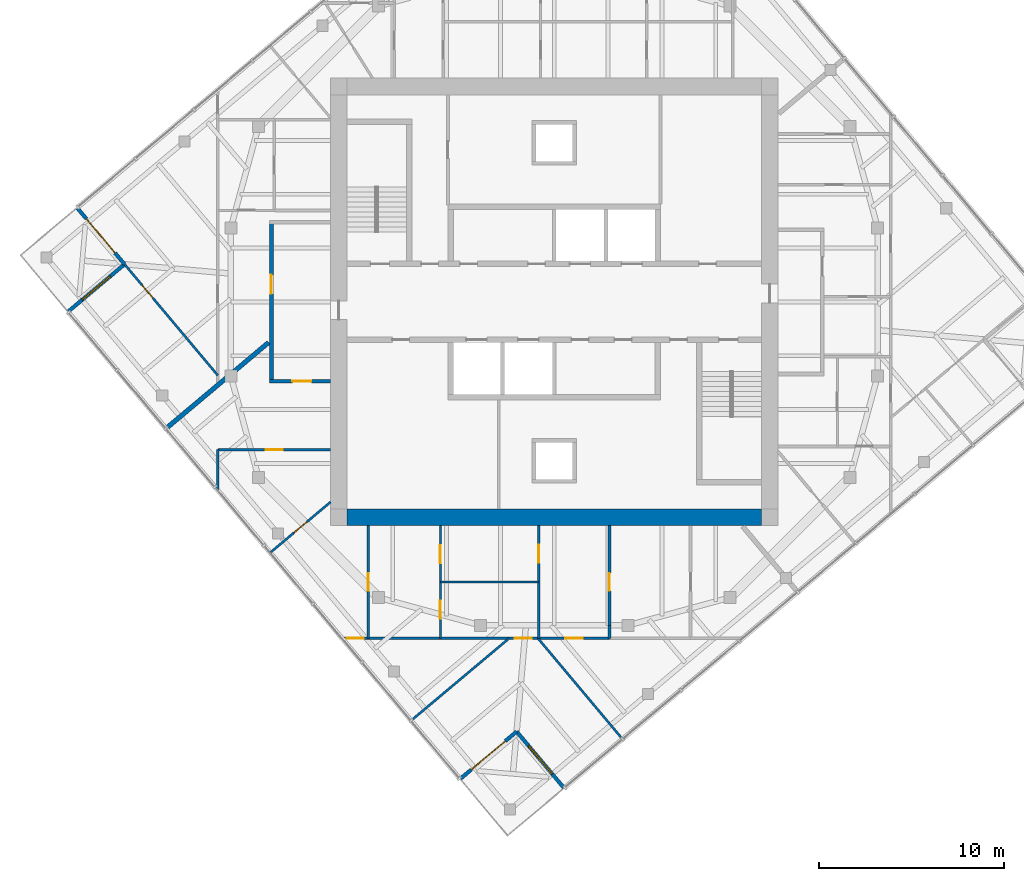
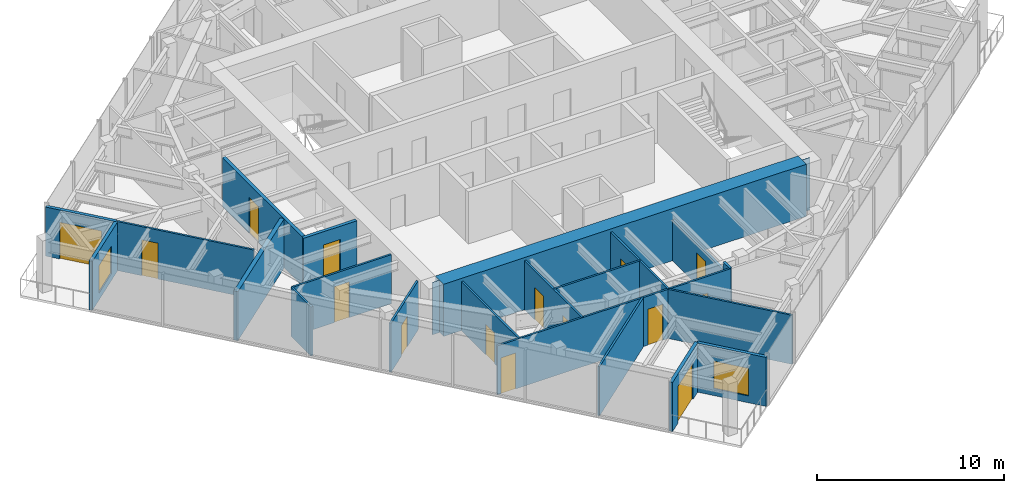
# One storey, part 7 of 12: 21 walls, 15 doors, 2 windows, 17 openings.
"""IFC4 building model written with IfcOpenShell, lengths in metres."""

import ifcopenshell
import ifcopenshell.guid

model = None  # the IFC model being written
_history = None  # IfcOwnerHistory: only IFC2X3 demands one
_inside = {}  # id of a spatial element -> (the spatial element, [elements in it])
_under = {}  # id of a project, library or spatial element -> (it, [spatial elements below it])
_declared = {}  # id of a project -> (the project, [libraries it declares])
_typed = {}  # id of a type object -> (the type object, [elements of that type])
_made_of = {}  # id of a material, layer set ... -> (it, [elements and type objects made of it])


def new_model(schema):
    """Start an empty IFC model of exactly this schema.

    Asked for "IFC4X3", IfcOpenShell would pick the latest addendum, in which some entities
    have other attributes; the version numbers below select the first issue.
    IFC2X3 requires an IfcOwnerHistory on every rooted entity: one is made here for all.
    """
    global model, _history
    if schema == "IFC4X3":
        model = ifcopenshell.file(schema_version=(4, 3, 0, 0))
    else:
        model = ifcopenshell.file(schema=schema)
    _inside.clear()
    _under.clear()
    _declared.clear()
    _typed.clear()
    _made_of.clear()
    _history = None
    if model.schema == "IFC2X3":
        org = make("IfcOrganization", Name="unknown")
        user = make(
            "IfcPersonAndOrganization",
            ThePerson=make("IfcPerson", FamilyName="unknown"),
            TheOrganization=org,
        )
        app = make(
            "IfcApplication",
            ApplicationDeveloper=org,
            Version="unknown",
            ApplicationFullName="unknown",
            ApplicationIdentifier="unknown",
        )
        _history = make(
            "IfcOwnerHistory",
            OwningUser=user,
            OwningApplication=app,
            ChangeAction="ADDED",
            CreationDate=0,
        )
    return model


def make(cls, **values):
    """One entity of the class cls with the attributes given. An attribute that is None is left unset."""
    return model.create_entity(
        cls, **{name: value for name, value in values.items() if value is not None}
    )


def rooted(cls, **values):
    """An entity with a GlobalId (a new one), such as an element, a storey or a relation."""
    return make(cls, GlobalId=ifcopenshell.guid.new(), OwnerHistory=_history, **values)


def si_unit(unit_type, name, prefix=None):
    """IfcSIUnit, for example si_unit("LENGTHUNIT", "METRE", prefix="MILLI")."""
    return make("IfcSIUnit", UnitType=unit_type, Prefix=prefix, Name=name)


def assignment(units):
    """IfcUnitAssignment: the units of a project."""
    return None if units is None else make("IfcUnitAssignment", Units=units)


def point(xyz):
    """IfcCartesianPoint."""
    return None if xyz is None else make("IfcCartesianPoint", Coordinates=xyz)


def direction(xyz):
    """IfcDirection."""
    return None if xyz is None else make("IfcDirection", DirectionRatios=xyz)


def frame(location, z_axis=None, x_axis=None):
    """IfcAxis2Placement3D, a coordinate frame: its origin and axes. An axis left out is left unset."""
    return make(
        "IfcAxis2Placement3D",
        Location=point(location),
        Axis=direction(z_axis),
        RefDirection=direction(x_axis),
    )


def frame_2d(location, x_axis=None):
    """IfcAxis2Placement2D, a coordinate frame in the plane: its origin and x axis."""
    return make(
        "IfcAxis2Placement2D", Location=point(location), RefDirection=direction(x_axis)
    )


def origin():
    """The frame at (0, 0, 0) with its axes left unset."""
    return frame((0.0, 0.0, 0.0))


def place(relative_to, where):
    """IfcLocalPlacement: puts the frame where relative to a parent placement (None: the world)."""
    return make(
        "IfcLocalPlacement", PlacementRelTo=relative_to, RelativePlacement=where
    )


def context(
    kind, dimensions, precision=None, world=None, true_north=None, identifier=None
):
    """IfcGeometricRepresentationContext, for example the 3D "Model" context."""
    return make(
        "IfcGeometricRepresentationContext",
        ContextIdentifier=identifier,
        ContextType=kind,
        CoordinateSpaceDimension=dimensions,
        Precision=precision,
        WorldCoordinateSystem=world,
        TrueNorth=true_north,
    )


def subcontext(parent, identifier, kind, view, scale=None):
    """IfcGeometricRepresentationSubContext, for example "Body" below "Model"."""
    return make(
        "IfcGeometricRepresentationSubContext",
        ContextIdentifier=identifier,
        ContextType=kind,
        ParentContext=parent,
        TargetScale=scale,
        TargetView=view,
    )


def project(units=None, contexts=None):
    """IfcProject with its units and contexts."""
    return rooted(
        "IfcProject",
        Name="project",
        RepresentationContexts=contexts,
        UnitsInContext=assignment(units),
    )


def spatial(cls, under=None, at=None, **own):
    """A site, building, storey or space (cls), placed at a placement, below another one or the project."""
    s = rooted(cls, ObjectPlacement=at, **own)
    if under is not None:
        _under.setdefault(under.id(), (under, []))[1].append(s)
    return s


def polyline(points):
    """IfcPolyline through the points."""
    return make("IfcPolyline", Points=[point(p) for p in points])


def profile(cls, at=None, kind="AREA", **sizes):
    """A parametric profile (cls). Its sizes go by their IFC names, for example OverallWidth=200.0."""
    return make(cls, ProfileType=kind, Position=at, **sizes)


def rectangle(**sizes):
    """IfcRectangleProfileDef."""
    return profile("IfcRectangleProfileDef", **sizes)


def outline(outer, holes=None, kind="AREA"):
    """IfcArbitraryClosedProfileDef: a profile drawn as a closed curve; with holes, ...WithVoids."""
    if holes is None:
        return make("IfcArbitraryClosedProfileDef", ProfileType=kind, OuterCurve=outer)
    return make(
        "IfcArbitraryProfileDefWithVoids",
        ProfileType=kind,
        OuterCurve=outer,
        InnerCurves=holes,
    )


def extrude(swept, where, along, depth):
    """IfcExtrudedAreaSolid: the profile swept, set in the frame where, extruded along a direction by depth."""
    return make(
        "IfcExtrudedAreaSolid",
        SweptArea=swept,
        Position=where,
        ExtrudedDirection=direction(along),
        Depth=depth,
    )


def shape(context_of_items, identifier, shape_type, items):
    """IfcShapeRepresentation: the items that make up one representation, for example the "Body"."""
    return make(
        "IfcShapeRepresentation",
        ContextOfItems=context_of_items,
        RepresentationIdentifier=identifier,
        RepresentationType=shape_type,
        Items=items,
    )


def material(Name=None, Category=None):
    """IfcMaterial."""
    return make("IfcMaterial", Name=Name, Category=Category)


def layer(
    of_material, thickness, ventilated=None, Name=None, Category=None, Priority=None
):
    """IfcMaterialLayer: one layer of a wall or slab, of a material (None: an air gap)."""
    return make(
        "IfcMaterialLayer",
        Material=of_material,
        LayerThickness=thickness,
        IsVentilated=ventilated,
        Name=Name,
        Category=Category,
        Priority=Priority,
    )


def layer_set(layers, Name=None):
    """IfcMaterialLayerSet."""
    return make("IfcMaterialLayerSet", MaterialLayers=layers, LayerSetName=Name)


def made_of(thing, what):
    """Note that an element or type object is made of a material, layer set ...; save() writes the relation."""
    if what is not None:
        _made_of.setdefault(what.id(), (what, []))[1].append(thing)
    return thing


def type_object(cls, material=None, **own):
    """A type object (cls), such as IfcWallType, which elements share."""
    return made_of(rooted(cls, **own), material)


def element(
    cls,
    number,
    at=None,
    inside=None,
    cuts=None,
    type_object=None,
    material=None,
    context=None,
    identifier="Body",
    shape_type=None,
    held_by="IfcProductDefinitionShape",
    body=None,
    shapes=None,
    **own,
):
    """One element of the class cls, such as IfcWall. Its Tag is "e" and its number.

    at: its placement. inside: the storey or other place that contains it. cuts: it is an
    opening in that element (IfcRelVoidsElement). A single representation is given by context,
    identifier, shape_type and body (its items); several are given by shapes. held_by: the class
    of the entity that holds the representations. save() writes the other relations.
    """
    e = rooted(cls, Tag="e%d" % number, ObjectPlacement=at, **own)
    if body is not None:
        shapes = [shape(context, identifier, shape_type, body)]
    if shapes is not None:
        e.Representation = make(held_by, Representations=shapes)
    if inside is not None:
        _inside.setdefault(inside.id(), (inside, []))[1].append(e)
    if cuts is not None:
        rooted(
            "IfcRelVoidsElement", RelatingBuildingElement=cuts, RelatedOpeningElement=e
        )
    if type_object is not None:
        _typed.setdefault(type_object.id(), (type_object, []))[1].append(e)
    return made_of(e, material)


def fill(opening, filler):
    """IfcRelFillsElement: the door or window that sits in an opening."""
    return rooted(
        "IfcRelFillsElement",
        RelatingOpeningElement=opening,
        RelatedBuildingElement=filler,
    )


def aggregate(whole, parts):
    """IfcRelAggregates: a whole, such as a stair, and the parts it consists of."""
    return rooted("IfcRelAggregates", RelatingObject=whole, RelatedObjects=parts)


def save(model, path):
    """Write the relations noted so far, then the file.

    IfcRelAggregates (storeys below a building ...), IfcRelContainedInSpatialStructure (elements
    in a storey), IfcRelDefinesByType, IfcRelAssociatesMaterial and IfcRelDeclares: one each for
    every whole, place, type object, material and project.
    """
    for whole, parts in _under.values():
        aggregate(whole, parts)
    for where, things in _inside.values():
        rooted(
            "IfcRelContainedInSpatialStructure",
            RelatedElements=things,
            RelatingStructure=where,
        )
    for kind, things in _typed.values():
        rooted("IfcRelDefinesByType", RelatedObjects=things, RelatingType=kind)
    for what, things in _made_of.values():
        rooted("IfcRelAssociatesMaterial", RelatedObjects=things, RelatingMaterial=what)
    for by, libraries in _declared.values():
        rooted("IfcRelDeclares", RelatingContext=by, RelatedDefinitions=libraries)
    model.write(path)


model = new_model("IFC4")

# Units and contexts
model_context = context("Model", 3, precision=1e-05, world=origin(), true_north=direction((0.0, 1.0)))
body_context = subcontext(model_context, "Body", "Model", "MODEL_VIEW")
ifc_project = project(units=[si_unit("LENGTHUNIT", "METRE"), si_unit("AREAUNIT", "SQUARE_METRE"), si_unit("VOLUMEUNIT", "CUBIC_METRE"), si_unit("PLANEANGLEUNIT", "RADIAN"), si_unit("MASSUNIT", "GRAM", prefix="KILO")], contexts=[model_context])

# Site, building, storey
site_placement = place(None, origin())
site = spatial("IfcSite", under=ifc_project, at=site_placement, CompositionType="ELEMENT")
building_placement = place(site_placement, origin())
building = spatial("IfcBuilding", under=site, at=building_placement, Name="Torsade Residences", CompositionType="ELEMENT")
storey_placement = place(building_placement, frame((0.0, 0.0, 296.39990234375)))
storey = spatial("IfcBuildingStorey", under=building, at=storey_placement, Name="L82", CompositionType="ELEMENT", Elevation=296.39990234375)

# Wall
ifc_material_1 = material(Name="Concrete 80 MPa", Category="concrete")
ifc_layer_1 = layer(ifc_material_1, 0.89990234375)
ifc_layer_set_1 = layer_set([ifc_layer_1], Name="Concrete 80 MPa")
wall_type_1 = type_object("IfcWallType", Name="CORE WALL 900", PredefinedType="SHEAR", material=ifc_layer_set_1)
wall_1_placement = place(storey_placement, frame((51.199951171875, 18.35009765625, 0.0), z_axis=(0.0, 0.0, 1.0), x_axis=(-1.0, 0.0, 0.0)))
element("IfcWall", 1, at=wall_1_placement, inside=storey, type_object=wall_type_1, Name="Core wall S L82", PredefinedType="SHEAR", context=body_context, shape_type="SweptSolid", body=[
    extrude(outline(polyline([(0.0, -0.449951171875), (22.39990234375, -0.449951171875), (22.39990234375, -0.02490234375), (22.849853515625, -0.02490234375), (22.849853515625, 0.02490234375), (22.39990234375, 0.02490234375), (22.39990234375, 0.449951171875), (0.0, 0.449951171875), (0.0, 0.02490234375), (-0.449951171875, 0.02490234375), (-0.449951171875, -0.02490234375), (0.0, -0.02490234375), (0.0, -0.449951171875)])), origin(), (0.0, 0.0, 1.0), 3.400146484375),
])

# Wall, opening, door
ifc_material_2 = material(Name="Plasterboard on steel stud", Category="steel")
ifc_layer_2 = layer(ifc_material_2, 0.199951171875)
ifc_layer_set_2 = layer_set([ifc_layer_2], Name="Plasterboard on steel stud")
wall_type_2 = type_object("IfcWallType", Name="CORRIDOR WALL 200", PredefinedType="PARTITIONING", material=ifc_layer_set_2)
wall_2_placement = place(storey_placement, frame((24.699951171875, 25.699951171875, 0.0), z_axis=(0.0, 0.0, 1.0), x_axis=(0.0, 1.0, 0.0)))
wall_2 = element("IfcWall", 2, at=wall_2_placement, inside=storey, type_object=wall_type_2, Name="Corridor wall L82", PredefinedType="PARTITIONING", context=body_context, shape_type="SweptSolid", body=[
    extrude(rectangle(XDim=8.60009765625, YDim=0.199951171875, at=frame_2d((4.300048828125, 0.0))), origin(), (0.0, 0.0, 1.0), 3.2001953125),
])
opening_1_placement = place(wall_2_placement, frame((4.734375, 0.0, 0.0)))
opening_1 = element("IfcOpeningElement", 3, at=opening_1_placement, cuts=wall_2, Name="Opening D01", PredefinedType="OPENING", context=body_context, shape_type="SweptSolid", body=[
    extrude(rectangle(XDim=1.02001953125, YDim=2.340087890625, at=frame_2d((0.510009765625, 1.169921875))), frame((0.0, 0.10986328125, 0.0), z_axis=(0.0, -1.0, 0.0), x_axis=(1.0, 0.0, 0.0)), (0.0, 0.0, 1.0), 0.219970703125),
])
ifc_material_3 = material(Name="Solid-core timber fire door", Category="wood")
door_type_1 = type_object("IfcDoorType", Name="APARTMENT ENTRY DOOR 1020x2340", OperationType="NOTDEFINED", PredefinedType="DOOR", material=ifc_material_3)
door_1_placement = place(opening_1_placement, origin())
door_1 = element("IfcDoor", 4, at=door_1_placement, inside=storey, type_object=door_type_1, Name="Door Residential corridor to Kitchen and dining", OperationType="SINGLE_SWING_LEFT", OverallHeight=2.340087890625, OverallWidth=1.02001953125, PredefinedType="DOOR", context=body_context, shape_type="SweptSolid", body=[
    extrude(rectangle(XDim=1.02001953125, YDim=2.340087890625, at=frame_2d((0.510009765625, 1.169921875))), frame((0.0, 0.02490234375, 0.0), z_axis=(0.0, -1.0, 0.0), x_axis=(1.0, 0.0, 0.0)), (0.0, 0.0, 1.0), 0.050048828125),
])
fill(opening_1, door_1)

wall_3_placement = place(storey_placement, frame((27.89990234375, 25.699951171875, 0.0), z_axis=(0.0, 0.0, 1.0), x_axis=(-1.0, 0.0, 0.0)))
wall_3 = element("IfcWall", 5, at=wall_3_placement, inside=storey, type_object=wall_type_2, Name="Corridor wall L82", PredefinedType="PARTITIONING", context=body_context, shape_type="SweptSolid", body=[
    extrude(rectangle(XDim=3.2998046875, YDim=0.199951171875, at=frame_2d((1.64990234375, 0.0))), origin(), (0.0, 0.0, 1.0), 3.2001953125),
])
opening_2_placement = place(wall_3_placement, frame((1.0400390625, 0.0, 0.0)))
opening_2 = element("IfcOpeningElement", 6, at=opening_2_placement, cuts=wall_3, Name="Opening D01", PredefinedType="OPENING", context=body_context, shape_type="SweptSolid", body=[
    extrude(rectangle(XDim=1.02001953125, YDim=2.340087890625, at=frame_2d((0.510009765625, 1.169921875))), frame((0.0, 0.10986328125, 0.0), z_axis=(0.0, -1.0, 0.0), x_axis=(1.0, 0.0, 0.0)), (0.0, 0.0, 1.0), 0.219970703125),
])
door_2_placement = place(opening_2_placement, origin())
door_2 = element("IfcDoor", 7, at=door_2_placement, inside=storey, type_object=door_type_1, Name="Door Residential corridor to Kitchen and dining", OperationType="SINGLE_SWING_LEFT", OverallHeight=2.340087890625, OverallWidth=1.02001953125, PredefinedType="DOOR", context=body_context, shape_type="SweptSolid", body=[
    extrude(rectangle(XDim=1.02001953125, YDim=2.340087890625, at=frame_2d((0.510009765625, 1.169921875))), frame((0.0, 0.02490234375, 0.0), z_axis=(0.0, -1.0, 0.0), x_axis=(1.0, 0.0, 0.0)), (0.0, 0.0, 1.0), 0.050048828125),
])
fill(opening_2, door_2)

ifc_material_4 = material(Name="Plasterboard on steel stud", Category="steel")
ifc_layer_3 = layer(ifc_material_4, 0.1201171875)
ifc_layer_set_3 = layer_set([ifc_layer_3], Name="Plasterboard on steel stud")
wall_type_3 = type_object("IfcWallType", Name="PARTITION 120", PredefinedType="PARTITIONING", material=ifc_layer_set_3)
wall_4_placement = place(storey_placement, frame((27.89990234375, 22.0, 0.0), z_axis=(0.0, 0.0, 1.0), x_axis=(-1.0, 0.0, 0.0)))
wall_4 = element("IfcWall", 8, at=wall_4_placement, inside=storey, type_object=wall_type_3, Name="Partition L82", PredefinedType="PARTITIONING", context=body_context, shape_type="SweptSolid", body=[
    extrude(rectangle(XDim=6.099853515625, YDim=0.1201171875, at=frame_2d((3.0498046875, 0.0))), origin(), (0.0, 0.0, 1.0), 3.2001953125),
])
opening_3_placement = place(wall_4_placement, frame((2.590087890625, 0.0, 0.0)))
opening_3 = element("IfcOpeningElement", 9, at=opening_3_placement, cuts=wall_4, Name="Opening D02", PredefinedType="OPENING", context=body_context, shape_type="SweptSolid", body=[
    extrude(rectangle(XDim=0.919921875, YDim=2.340087890625, at=frame_2d((0.4599609375, 1.169921875))), frame((0.0, 0.070068359375, 0.0), z_axis=(0.0, -1.0, 0.0), x_axis=(1.0, 0.0, 0.0)), (0.0, 0.0, 1.0), 0.14013671875),
])
ifc_material_5 = material(Name="Hollow-core timber door", Category="wood")
door_type_2 = type_object("IfcDoorType", Name="INTERNAL DOOR 920x2340", OperationType="NOTDEFINED", PredefinedType="DOOR", material=ifc_material_5)
door_3_placement = place(opening_3_placement, origin())
door_3 = element("IfcDoor", 10, at=door_3_placement, inside=storey, type_object=door_type_2, Name="Door Kitchen and dining to Scullery", OperationType="SINGLE_SWING_RIGHT", OverallHeight=2.340087890625, OverallWidth=0.919921875, PredefinedType="DOOR", context=body_context, shape_type="SweptSolid", body=[
    extrude(rectangle(XDim=0.919921875, YDim=2.340087890625, at=frame_2d((0.4599609375, 1.169921875))), frame((0.0, 0.02490234375, 0.0), z_axis=(0.0, -1.0, 0.0), x_axis=(1.0, 0.0, 0.0)), (0.0, 0.0, 1.0), 0.050048828125),
])
fill(opening_3, door_3)

# Wall
wall_5_placement = place(storey_placement, frame((21.800048828125, 22.0, 0.0), z_axis=(0.0, 0.0, 1.0), x_axis=(0.0, -1.0, 0.0)))
element("IfcWall", 11, at=wall_5_placement, inside=storey, type_object=wall_type_3, Name="Partition L82", PredefinedType="PARTITIONING", context=body_context, shape_type="SweptSolid", body=[
    extrude(rectangle(XDim=2.14013671875, YDim=0.1201171875, at=frame_2d((1.070068359375, 0.0))), origin(), (0.0, 0.0, 1.0), 3.2001953125),
])

# Wall, opening, door
wall_6_placement = place(storey_placement, frame((27.89990234375, 19.17236328125, 0.0), z_axis=(0.0, 0.0, 1.0), x_axis=(-0.766017381482, -0.642819859111, 0.0)))
wall_6 = element("IfcWall", 12, at=wall_6_placement, inside=storey, type_object=wall_type_3, Name="Partition L82", PredefinedType="PARTITIONING", context=body_context, shape_type="SweptSolid", body=[
    extrude(rectangle(XDim=4.23095703125, YDim=0.1201171875, at=frame_2d((2.115478515625, 0.0))), origin(), (0.0, 0.0, 1.0), 3.2001953125),
])
opening_4_placement = place(wall_6_placement, frame((1.675537109375, 0.0, 0.0)))
opening_4 = element("IfcOpeningElement", 13, at=opening_4_placement, cuts=wall_6, Name="Opening D02N", PredefinedType="OPENING", context=body_context, shape_type="SweptSolid", body=[
    extrude(rectangle(XDim=0.919921875, YDim=2.0, at=frame_2d((0.4599609375, 1.0))), frame((0.0, 0.070068359375, 0.0), z_axis=(0.0, -1.0, 0.0), x_axis=(1.0, 0.0, 0.0)), (0.0, 0.0, 1.0), 0.14013671875),
])
ifc_material_6 = material(Name="Hollow-core timber door", Category="wood")
door_type_3 = type_object("IfcDoorType", Name="INTERNAL DOOR 920x2000", OperationType="NOTDEFINED", PredefinedType="DOOR", material=ifc_material_6)
door_4_placement = place(opening_4_placement, origin())
door_4 = element("IfcDoor", 14, at=door_4_placement, inside=storey, type_object=door_type_3, Name="Door Scullery to Pantry", OperationType="SINGLE_SWING_LEFT", OverallHeight=2.0, OverallWidth=0.919921875, PredefinedType="DOOR", context=body_context, shape_type="SweptSolid", body=[
    extrude(rectangle(XDim=0.919921875, YDim=2.0, at=frame_2d((0.4599609375, 1.0))), frame((0.0, 0.02490234375, 0.0), z_axis=(0.0, -1.0, 0.0), x_axis=(1.0, 0.0, 0.0)), (0.0, 0.0, 1.0), 0.050048828125),
])
fill(opening_4, door_4)

wall_7_placement = place(storey_placement, frame((29.943603515625, 17.89990234375, 0.0), z_axis=(0.0, 0.0, 1.0), x_axis=(0.0, -1.0, 0.0)))
wall_7 = element("IfcWall", 15, at=wall_7_placement, inside=storey, type_object=wall_type_3, Name="Partition L82", PredefinedType="PARTITIONING", context=body_context, shape_type="SweptSolid", body=[
    extrude(rectangle(XDim=6.099853515625, YDim=0.1201171875, at=frame_2d((3.0498046875, 0.0))), origin(), (0.0, 0.0, 1.0), 3.2001953125),
])
opening_5_placement = place(wall_7_placement, frame((2.570068359375, 0.0, 0.0)))
opening_5 = element("IfcOpeningElement", 16, at=opening_5_placement, cuts=wall_7, Name="Opening D05N", PredefinedType="OPENING", context=body_context, shape_type="SweptSolid", body=[
    extrude(rectangle(XDim=0.9599609375, YDim=2.0, at=frame_2d((0.47998046875, 1.0))), frame((0.0, 0.070068359375, 0.0), z_axis=(0.0, -1.0, 0.0), x_axis=(1.0, 0.0, 0.0)), (0.0, 0.0, 1.0), 0.14013671875),
])
ifc_material_7 = material(Name="Hollow-core timber door in a steel cavity frame", Category="steel")
door_type_4 = type_object("IfcDoorType", Name="BATHROOM CAVITY SLIDING DOOR 960x2000", OperationType="SLIDING_TO_LEFT", PredefinedType="DOOR", material=ifc_material_7)
door_5_placement = place(opening_5_placement, origin())
door_5 = element("IfcDoor", 17, at=door_5_placement, inside=storey, type_object=door_type_4, Name="Door Pantry to Laundry", OperationType="SLIDING_TO_LEFT", OverallHeight=2.0, OverallWidth=0.9599609375, PredefinedType="DOOR", context=body_context, shape_type="SweptSolid", body=[
    extrude(rectangle(XDim=0.9599609375, YDim=2.0, at=frame_2d((0.47998046875, 1.0))), frame((0.0, 0.02490234375, 0.0), z_axis=(0.0, -1.0, 0.0), x_axis=(1.0, 0.0, 0.0)), (0.0, 0.0, 1.0), 0.050048828125),
])
fill(opening_5, door_5)

# Wall, openings, doors
wall_8_placement = place(storey_placement, frame((42.985595703125, 11.800048828125, 0.0), z_axis=(0.0, 0.0, 1.0), x_axis=(-1.0, 0.0, 0.0)))
wall_8 = element("IfcWall", 18, at=wall_8_placement, inside=storey, type_object=wall_type_3, Name="Partition L82", PredefinedType="PARTITIONING", context=body_context, shape_type="SweptSolid", body=[
    extrude(rectangle(XDim=14.422607421875, YDim=0.1201171875, at=frame_2d((7.21142578125, 0.0))), origin(), (0.0, 0.0, 1.0), 3.2001953125),
])
opening_6_placement = place(wall_8_placement, frame((13.298583984375, 0.0, 0.0)))
opening_6 = element("IfcOpeningElement", 19, at=opening_6_placement, cuts=wall_8, Name="Opening D02", PredefinedType="OPENING", context=body_context, shape_type="SweptSolid", body=[
    extrude(rectangle(XDim=0.919921875, YDim=2.340087890625, at=frame_2d((0.4599609375, 1.169921875))), frame((0.0, 0.070068359375, 0.0), z_axis=(0.0, -1.0, 0.0), x_axis=(1.0, 0.0, 0.0)), (0.0, 0.0, 1.0), 0.14013671875),
])
opening_7_placement = place(wall_8_placement, frame((4.20556640625, 0.0, 0.0)))
opening_7 = element("IfcOpeningElement", 20, at=opening_7_placement, cuts=wall_8, Name="Opening D02", PredefinedType="OPENING", context=body_context, shape_type="SweptSolid", body=[
    extrude(rectangle(XDim=0.919921875, YDim=2.340087890625, at=frame_2d((0.4599609375, 1.169921875))), frame((0.0, 0.070068359375, 0.0), z_axis=(0.0, -1.0, 0.0), x_axis=(1.0, 0.0, 0.0)), (0.0, 0.0, 1.0), 0.14013671875),
])
opening_8_placement = place(wall_8_placement, frame((1.434814453125, 0.0, 0.0)))
opening_8 = element("IfcOpeningElement", 21, at=opening_8_placement, cuts=wall_8, Name="Opening D05", PredefinedType="OPENING", context=body_context, shape_type="SweptSolid", body=[
    extrude(rectangle(XDim=0.9599609375, YDim=2.10009765625, at=frame_2d((0.47998046875, 1.050048828125))), frame((0.0, 0.070068359375, 0.0), z_axis=(0.0, -1.0, 0.0), x_axis=(1.0, 0.0, 0.0)), (0.0, 0.0, 1.0), 0.14013671875),
])
ifc_material_8 = material(Name="Hollow-core timber door in a steel cavity frame", Category="steel")
door_type_5 = type_object("IfcDoorType", Name="BATHROOM CAVITY SLIDING DOOR 960", OperationType="SLIDING_TO_LEFT", PredefinedType="DOOR", material=ifc_material_8)
door_6_placement = place(opening_8_placement, origin())
door_6 = element("IfcDoor", 22, at=door_6_placement, inside=storey, type_object=door_type_5, Name="Door Ensuite to Bedroom 1", OperationType="SLIDING_TO_LEFT", OverallHeight=2.10009765625, OverallWidth=0.9599609375, PredefinedType="DOOR", context=body_context, shape_type="SweptSolid", body=[
    extrude(rectangle(XDim=0.9599609375, YDim=2.10009765625, at=frame_2d((0.47998046875, 1.050048828125))), frame((0.0, 0.02490234375, 0.0), z_axis=(0.0, -1.0, 0.0), x_axis=(1.0, 0.0, 0.0)), (0.0, 0.0, 1.0), 0.050048828125),
])
fill(opening_8, door_6)
door_7_placement = place(opening_6_placement, origin())
door_7 = element("IfcDoor", 23, at=door_7_placement, inside=storey, type_object=door_type_2, Name="Door Pantry to Bedroom 2", OperationType="SINGLE_SWING_LEFT", OverallHeight=2.340087890625, OverallWidth=0.919921875, PredefinedType="DOOR", context=body_context, shape_type="SweptSolid", body=[
    extrude(rectangle(XDim=0.919921875, YDim=2.340087890625, at=frame_2d((0.4599609375, 1.169921875))), frame((0.0, 0.02490234375, 0.0), z_axis=(0.0, -1.0, 0.0), x_axis=(1.0, 0.0, 0.0)), (0.0, 0.0, 1.0), 0.050048828125),
])
fill(opening_6, door_7)
door_8_placement = place(opening_7_placement, origin())
door_8 = element("IfcDoor", 24, at=door_8_placement, inside=storey, type_object=door_type_2, Name="Door Dressing room to Living room", OperationType="SINGLE_SWING_LEFT", OverallHeight=2.340087890625, OverallWidth=0.919921875, PredefinedType="DOOR", context=body_context, shape_type="SweptSolid", body=[
    extrude(rectangle(XDim=0.919921875, YDim=2.340087890625, at=frame_2d((0.4599609375, 1.169921875))), frame((0.0, 0.02490234375, 0.0), z_axis=(0.0, -1.0, 0.0), x_axis=(1.0, 0.0, 0.0)), (0.0, 0.0, 1.0), 0.050048828125),
])
fill(opening_7, door_8)

wall_9_placement = place(storey_placement, frame((33.843505859375, 17.89990234375, 0.0), z_axis=(0.0, 0.0, 1.0), x_axis=(0.0, -1.0, 0.0)))
wall_9 = element("IfcWall", 25, at=wall_9_placement, inside=storey, type_object=wall_type_3, Name="Partition L82", PredefinedType="PARTITIONING", context=body_context, shape_type="SweptSolid", body=[
    extrude(rectangle(XDim=6.099853515625, YDim=0.1201171875, at=frame_2d((3.0498046875, 0.0))), origin(), (0.0, 0.0, 1.0), 3.2001953125),
])
opening_9_placement = place(wall_9_placement, frame((1.070068359375, 0.0, 0.0)))
opening_9 = element("IfcOpeningElement", 26, at=opening_9_placement, cuts=wall_9, Name="Opening D05", PredefinedType="OPENING", context=body_context, shape_type="SweptSolid", body=[
    extrude(rectangle(XDim=0.9599609375, YDim=2.10009765625, at=frame_2d((0.47998046875, 1.050048828125))), frame((0.0, 0.070068359375, 0.0), z_axis=(0.0, -1.0, 0.0), x_axis=(1.0, 0.0, 0.0)), (0.0, 0.0, 1.0), 0.14013671875),
])
opening_10_placement = place(wall_9_placement, frame((4.070068359375, 0.0, 0.0)))
opening_10 = element("IfcOpeningElement", 27, at=opening_10_placement, cuts=wall_9, Name="Opening D05", PredefinedType="OPENING", context=body_context, shape_type="SweptSolid", body=[
    extrude(rectangle(XDim=0.9599609375, YDim=2.10009765625, at=frame_2d((0.47998046875, 1.050048828125))), frame((0.0, 0.070068359375, 0.0), z_axis=(0.0, -1.0, 0.0), x_axis=(1.0, 0.0, 0.0)), (0.0, 0.0, 1.0), 0.14013671875),
])
door_9_placement = place(opening_9_placement, origin())
door_9 = element("IfcDoor", 28, at=door_9_placement, inside=storey, type_object=door_type_5, Name="Door Laundry to Bathroom", OperationType="SLIDING_TO_LEFT", OverallHeight=2.10009765625, OverallWidth=0.9599609375, PredefinedType="DOOR", context=body_context, shape_type="SweptSolid", body=[
    extrude(rectangle(XDim=0.9599609375, YDim=2.10009765625, at=frame_2d((0.47998046875, 1.050048828125))), frame((0.0, 0.02490234375, 0.0), z_axis=(0.0, -1.0, 0.0), x_axis=(1.0, 0.0, 0.0)), (0.0, 0.0, 1.0), 0.050048828125),
])
fill(opening_9, door_9)
door_10_placement = place(opening_10_placement, origin())
door_10 = element("IfcDoor", 29, at=door_10_placement, inside=storey, type_object=door_type_5, Name="Door Laundry to Dressing room", OperationType="SLIDING_TO_LEFT", OverallHeight=2.10009765625, OverallWidth=0.9599609375, PredefinedType="DOOR", context=body_context, shape_type="SweptSolid", body=[
    extrude(rectangle(XDim=0.9599609375, YDim=2.10009765625, at=frame_2d((0.47998046875, 1.050048828125))), frame((0.0, 0.02490234375, 0.0), z_axis=(0.0, -1.0, 0.0), x_axis=(1.0, 0.0, 0.0)), (0.0, 0.0, 1.0), 0.050048828125),
])
fill(opening_10, door_10)

# Wall
wall_10_placement = place(storey_placement, frame((39.156005859375, 14.85009765625, 0.0), z_axis=(0.0, 0.0, 1.0), x_axis=(-1.0, 0.0, 0.0)))
element("IfcWall", 30, at=wall_10_placement, inside=storey, type_object=wall_type_3, Name="Partition L82", PredefinedType="PARTITIONING", context=body_context, shape_type="SweptSolid", body=[
    extrude(rectangle(XDim=5.3125, YDim=0.1201171875, at=frame_2d((2.65625, 0.0))), origin(), (0.0, 0.0, 1.0), 3.2001953125),
])

# Wall, opening, door
wall_11_placement = place(storey_placement, frame((39.156005859375, 17.89990234375, 0.0), z_axis=(0.0, 0.0, 1.0), x_axis=(0.0, -1.0, 0.0)))
wall_11 = element("IfcWall", 31, at=wall_11_placement, inside=storey, type_object=wall_type_3, Name="Partition L82", PredefinedType="PARTITIONING", context=body_context, shape_type="SweptSolid", body=[
    extrude(rectangle(XDim=6.099853515625, YDim=0.1201171875, at=frame_2d((3.0498046875, 0.0))), origin(), (0.0, 0.0, 1.0), 3.2001953125),
])
opening_11_placement = place(wall_11_placement, frame((1.044921875, 0.0, 0.0)))
opening_11 = element("IfcOpeningElement", 32, at=opening_11_placement, cuts=wall_11, Name="Opening D05", PredefinedType="OPENING", context=body_context, shape_type="SweptSolid", body=[
    extrude(rectangle(XDim=0.9599609375, YDim=2.10009765625, at=frame_2d((0.47998046875, 1.050048828125))), frame((0.0, 0.070068359375, 0.0), z_axis=(0.0, -1.0, 0.0), x_axis=(1.0, 0.0, 0.0)), (0.0, 0.0, 1.0), 0.14013671875),
])
door_11_placement = place(opening_11_placement, origin())
door_11 = element("IfcDoor", 33, at=door_11_placement, inside=storey, type_object=door_type_5, Name="Door Bathroom to Ensuite", OperationType="SLIDING_TO_LEFT", OverallHeight=2.10009765625, OverallWidth=0.9599609375, PredefinedType="DOOR", context=body_context, shape_type="SweptSolid", body=[
    extrude(rectangle(XDim=0.9599609375, YDim=2.10009765625, at=frame_2d((0.47998046875, 1.050048828125))), frame((0.0, 0.02490234375, 0.0), z_axis=(0.0, -1.0, 0.0), x_axis=(1.0, 0.0, 0.0)), (0.0, 0.0, 1.0), 0.050048828125),
])
fill(opening_11, door_11)

# Walls
wall_12_placement = place(storey_placement, frame((39.1171875, 11.800048828125, 0.0), z_axis=(0.0, 0.0, 1.0), x_axis=(0.642790379821, -0.766042118691, 0.0)))
element("IfcWall", 34, at=wall_12_placement, inside=storey, type_object=wall_type_3, Name="Partition L82", PredefinedType="PARTITIONING", context=body_context, shape_type="SweptSolid", body=[
    extrude(rectangle(XDim=7.08544921875, YDim=0.1201171875, at=frame_2d((3.542724609375, 0.0))), origin(), (0.0, 0.0, 1.0), 3.2001953125),
])
wall_13_placement = place(storey_placement, frame((32.28125, 7.36865234375, 0.0), z_axis=(0.0, 0.0, 1.0), x_axis=(0.766036842262, 0.642796667926, 0.0)))
element("IfcWall", 35, at=wall_13_placement, inside=storey, type_object=wall_type_3, Name="Partition L82", PredefinedType="PARTITIONING", context=body_context, shape_type="SweptSolid", body=[
    extrude(rectangle(XDim=6.89404296875, YDim=0.1201171875, at=frame_2d((3.447021484375, 0.0))), origin(), (0.0, 0.0, 1.0), 3.2001953125),
])

# Wall, opening, door
wall_14_placement = place(storey_placement, frame((21.800048828125, 26.0205078125, 0.0), z_axis=(0.0, 0.0, 1.0), x_axis=(-0.642785106342, 0.766046543668, 0.0)))
wall_14 = element("IfcWall", 36, at=wall_14_placement, inside=storey, type_object=wall_type_3, Name="Partition L82", PredefinedType="PARTITIONING", context=body_context, shape_type="SweptSolid", body=[
    extrude(rectangle(XDim=7.809814453125, YDim=0.1201171875, at=frame_2d((3.90478515625, 0.0))), origin(), (0.0, 0.0, 1.0), 3.2001953125),
])
opening_12_placement = place(wall_14_placement, frame((5.46484375, 0.0, 0.0)))
opening_12 = element("IfcOpeningElement", 37, at=opening_12_placement, cuts=wall_14, Name="Opening D02", PredefinedType="OPENING", context=body_context, shape_type="SweptSolid", body=[
    extrude(rectangle(XDim=0.919921875, YDim=2.340087890625, at=frame_2d((0.4599609375, 1.169921875))), frame((0.0, 0.070068359375, 0.0), z_axis=(0.0, -1.0, 0.0), x_axis=(1.0, 0.0, 0.0)), (0.0, 0.0, 1.0), 0.14013671875),
])
door_12_placement = place(opening_12_placement, origin())
door_12 = element("IfcDoor", 38, at=door_12_placement, inside=storey, type_object=door_type_2, Name="Door Living room to Bedroom 1", OperationType="SINGLE_SWING_LEFT", OverallHeight=2.340087890625, OverallWidth=0.919921875, PredefinedType="DOOR", context=body_context, shape_type="SweptSolid", body=[
    extrude(rectangle(XDim=0.919921875, YDim=2.340087890625, at=frame_2d((0.4599609375, 1.169921875))), frame((0.0, 0.02490234375, 0.0), z_axis=(0.0, -1.0, 0.0), x_axis=(1.0, 0.0, 0.0)), (0.0, 0.0, 1.0), 0.050048828125),
])
fill(opening_12, door_12)

# Wall
ifc_material_9 = material(Name="Masonry-lined stud party wall", Category="masonry")
ifc_layer_4 = layer(ifc_material_9, 0.25)
ifc_layer_set_4 = layer_set([ifc_layer_4], Name="Masonry-lined stud party wall")
wall_type_4 = type_object("IfcWallType", Name="PARTY WALL 250", PredefinedType="PARTITIONING", material=ifc_layer_set_4)
wall_15_placement = place(storey_placement, frame((18.9931640625, 23.142822265625, 0.0), z_axis=(0.0, 0.0, 1.0), x_axis=(0.766054150891, 0.642776040237, 0.0)))
element("IfcWall", 39, at=wall_15_placement, inside=storey, type_object=wall_type_4, Name="Party wall L82", PredefinedType="PARTITIONING", context=body_context, shape_type="SweptSolid", body=[
    extrude(rectangle(XDim=7.254150390625, YDim=0.25, at=frame_2d((3.626953125, 0.0))), origin(), (0.0, 0.0, 1.0), 3.2001953125),
])

# Wall, opening, door
ifc_material_10 = material(Name="Reinforced blockwork", Category="masonry")
ifc_layer_5 = layer(ifc_material_10, 0.14990234375)
ifc_layer_set_5 = layer_set([ifc_layer_5], Name="Reinforced blockwork")
wall_type_5 = type_object("IfcWallType", Name="SERVICE ROOM WALL 150", PredefinedType="SOLIDWALL", material=ifc_layer_set_5)
wall_16_placement = place(storey_placement, frame((42.985595703125, 17.89990234375, 0.0), z_axis=(0.0, 0.0, 1.0), x_axis=(0.0, -1.0, 0.0)))
wall_16 = element("IfcWall", 40, at=wall_16_placement, inside=storey, type_object=wall_type_5, Name="Service room wall L82", PredefinedType="SOLIDWALL", context=body_context, shape_type="SweptSolid", body=[
    extrude(rectangle(XDim=5.39990234375, YDim=0.14990234375, at=frame_2d((2.699951171875, 0.0))), origin(), (0.0, 0.0, 1.0), 2.672119140625),
])
opening_13_placement = place(wall_16_placement, frame((2.570068359375, 0.0, 0.0)))
opening_13 = element("IfcOpeningElement", 41, at=opening_13_placement, cuts=wall_16, Name="Opening D05", PredefinedType="OPENING", context=body_context, shape_type="SweptSolid", body=[
    extrude(rectangle(XDim=0.9599609375, YDim=2.10009765625, at=frame_2d((0.47998046875, 1.050048828125))), frame((0.0, 0.0849609375, 0.0), z_axis=(0.0, -1.0, 0.0), x_axis=(1.0, 0.0, 0.0)), (0.0, 0.0, 1.0), 0.169921875),
])
door_13_placement = place(opening_13_placement, origin())
door_13 = element("IfcDoor", 42, at=door_13_placement, inside=storey, type_object=door_type_5, Name="Door Ensuite to Linen store", OperationType="SLIDING_TO_LEFT", OverallHeight=2.10009765625, OverallWidth=0.9599609375, PredefinedType="DOOR", context=body_context, shape_type="SweptSolid", body=[
    extrude(rectangle(XDim=0.9599609375, YDim=2.10009765625, at=frame_2d((0.47998046875, 1.050048828125))), frame((0.0, 0.02490234375, 0.0), z_axis=(0.0, -1.0, 0.0), x_axis=(1.0, 0.0, 0.0)), (0.0, 0.0, 1.0), 0.050048828125),
])
fill(opening_13, door_13)

# Wall
wall_17_placement = place(storey_placement, frame((42.985595703125, 12.5, 0.0), z_axis=(0.0, 0.0, 1.0), x_axis=(0.0, -1.0, 0.0)))
element("IfcWall", 43, at=wall_17_placement, inside=storey, type_object=wall_type_5, Name="Service room wall L82", PredefinedType="SOLIDWALL", context=body_context, shape_type="SweptSolid", body=[
    extrude(rectangle(XDim=0.699951171875, YDim=0.14990234375, at=frame_2d((0.35009765625, 0.0))), origin(), (0.0, 0.0, 1.0), 3.2001953125),
])

# Wall, opening, door
ifc_material_11 = material(Name="Stone-faced precast concrete 40 MPa panel", Category="masonry")
ifc_layer_6 = layer(ifc_material_11, 0.199951171875)
ifc_layer_set_6 = layer_set([ifc_layer_6], Name="Stone-faced precast concrete 40 MPa panel")
wall_type_6 = type_object("IfcWallType", Name="TERRACE WALL 200", PredefinedType="SOLIDWALL", material=ifc_layer_set_6)
wall_18_placement = place(storey_placement, frame((14.18310546875, 35.097900390625, 0.0), z_axis=(0.0, 0.0, 1.0), x_axis=(0.642768287094, -0.766060656284, 0.0)))
wall_18 = element("IfcWall", 44, at=wall_18_placement, inside=storey, type_object=wall_type_6, Name="Terrace wall L82 8", PredefinedType="SOLIDWALL", context=body_context, shape_type="SweptSolid", body=[
    extrude(rectangle(XDim=4.0, YDim=0.199951171875, at=frame_2d((2.0, 0.0))), origin(), (0.0, 0.0, 1.0), 3.2001953125),
])
opening_14_placement = place(wall_18_placement, frame((0.800048828125, 0.0, 0.0)))
opening_14 = element("IfcOpeningElement", 45, at=opening_14_placement, cuts=wall_18, Name="Opening D10", PredefinedType="OPENING", context=body_context, shape_type="SweptSolid", body=[
    extrude(rectangle(XDim=2.39990234375, YDim=2.39990234375, at=frame_2d((1.199951171875, 1.199951171875))), frame((0.0, 0.10986328125, 0.0), z_axis=(0.0, -1.0, 0.0), x_axis=(1.0, 0.0, 0.0)), (0.0, 0.0, 1.0), 0.219970703125),
])
ifc_material_12 = material(Name="Aluminium-framed glass door", Category="aluminium")
door_type_6 = type_object("IfcDoorType", Name="TERRACE SLIDING DOOR 2400", OperationType="SLIDING_TO_LEFT", PredefinedType="DOOR", material=ifc_material_12)
door_14_placement = place(opening_14_placement, origin())
door_14 = element("IfcDoor", 46, at=door_14_placement, inside=storey, type_object=door_type_6, Name="Terrace door L82 8", OperationType="SLIDING_TO_LEFT", OverallHeight=2.39990234375, OverallWidth=2.39990234375, PredefinedType="DOOR", context=body_context, shape_type="SweptSolid", body=[
    extrude(rectangle(XDim=2.39990234375, YDim=2.39990234375, at=frame_2d((1.199951171875, 1.199951171875))), frame((0.0, 0.02490234375, 0.0), z_axis=(0.0, -1.0, 0.0), x_axis=(1.0, 0.0, 0.0)), (0.0, 0.0, 1.0), 0.050048828125),
])
fill(opening_14, door_14)

# Wall, opening, window
wall_19_placement = place(storey_placement, frame((16.754150390625, 32.03369140625, 0.0), z_axis=(0.0, 0.0, 1.0), x_axis=(-0.766035437498, -0.642798342015, 0.0)))
wall_19 = element("IfcWall", 47, at=wall_19_placement, inside=storey, type_object=wall_type_6, Name="Terrace wall L82 9", PredefinedType="SOLIDWALL", context=body_context, shape_type="SweptSolid", body=[
    extrude(rectangle(XDim=3.999755859375, YDim=0.199951171875, at=frame_2d((2.0, 0.0))), origin(), (0.0, 0.0, 1.0), 3.2001953125),
])
opening_15_placement = place(wall_19_placement, frame((1.0, 0.0, 0.449951171875)))
opening_15 = element("IfcOpeningElement", 48, at=opening_15_placement, cuts=wall_19, Name="Opening W1B", PredefinedType="OPENING", context=body_context, shape_type="SweptSolid", body=[
    extrude(rectangle(XDim=2.0, YDim=1.800048828125, at=frame_2d((1.0, 0.89990234375))), frame((0.0, 0.10986328125, 0.0), z_axis=(0.0, -1.0, 0.0), x_axis=(1.0, 0.0, 0.0)), (0.0, 0.0, 1.0), 0.219970703125),
])
ifc_material_13 = material(Name="Aluminium-framed glass window", Category="aluminium")
window_type = type_object("IfcWindowType", Name="TERRACE WINDOW 2000x1800", PartitioningType="SINGLE_PANEL", PredefinedType="WINDOW", material=ifc_material_13)
window_1_placement = place(opening_15_placement, origin())
window_1 = element("IfcWindow", 49, at=window_1_placement, inside=storey, type_object=window_type, Name="Terrace window L82 9", OverallHeight=1.800048828125, OverallWidth=2.0, PartitioningType="SINGLE_PANEL", PredefinedType="WINDOW", context=body_context, shape_type="SweptSolid", body=[
    extrude(rectangle(XDim=2.0, YDim=1.800048828125, at=frame_2d((1.0, 0.89990234375))), frame((0.0, 0.030029296875, 0.0), z_axis=(0.0, -1.0, 0.0), x_axis=(1.0, 0.0, 0.0)), (0.0, 0.0, 1.0), 0.06005859375),
])
fill(opening_15, window_1)

# Wall, opening, door
wall_20_placement = place(storey_placement, frame((34.902099609375, 4.18310546875, 0.0), z_axis=(0.0, 0.0, 1.0), x_axis=(0.766060656284, 0.642768287094, 0.0)))
wall_20 = element("IfcWall", 50, at=wall_20_placement, inside=storey, type_object=wall_type_6, Name="Terrace wall L82 11", PredefinedType="SOLIDWALL", context=body_context, shape_type="SweptSolid", body=[
    extrude(rectangle(XDim=4.0, YDim=0.199951171875, at=frame_2d((2.0, 0.0))), origin(), (0.0, 0.0, 1.0), 3.2001953125),
])
opening_16_placement = place(wall_20_placement, frame((0.800048828125, 0.0, 0.0)))
opening_16 = element("IfcOpeningElement", 51, at=opening_16_placement, cuts=wall_20, Name="Opening D10", PredefinedType="OPENING", context=body_context, shape_type="SweptSolid", body=[
    extrude(rectangle(XDim=2.39990234375, YDim=2.39990234375, at=frame_2d((1.199951171875, 1.199951171875))), frame((0.0, 0.10986328125, 0.0), z_axis=(0.0, -1.0, 0.0), x_axis=(1.0, 0.0, 0.0)), (0.0, 0.0, 1.0), 0.219970703125),
])
door_15_placement = place(opening_16_placement, origin())
door_15 = element("IfcDoor", 52, at=door_15_placement, inside=storey, type_object=door_type_6, Name="Terrace door L82 11", OperationType="SLIDING_TO_LEFT", OverallHeight=2.39990234375, OverallWidth=2.39990234375, PredefinedType="DOOR", context=body_context, shape_type="SweptSolid", body=[
    extrude(rectangle(XDim=2.39990234375, YDim=2.39990234375, at=frame_2d((1.199951171875, 1.199951171875))), frame((0.0, 0.02490234375, 0.0), z_axis=(0.0, -1.0, 0.0), x_axis=(1.0, 0.0, 0.0)), (0.0, 0.0, 1.0), 0.050048828125),
])
fill(opening_16, door_15)

# Wall, opening, window
wall_21_placement = place(storey_placement, frame((37.96630859375, 6.754150390625, 0.0), z_axis=(0.0, 0.0, 1.0), x_axis=(0.642798342015, -0.766035437498, 0.0)))
wall_21 = element("IfcWall", 53, at=wall_21_placement, inside=storey, type_object=wall_type_6, Name="Terrace wall L82 12", PredefinedType="SOLIDWALL", context=body_context, shape_type="SweptSolid", body=[
    extrude(rectangle(XDim=3.999755859375, YDim=0.199951171875, at=frame_2d((2.0, 0.0))), origin(), (0.0, 0.0, 1.0), 3.2001953125),
])
opening_17_placement = place(wall_21_placement, frame((1.0, 0.0, 0.449951171875)))
opening_17 = element("IfcOpeningElement", 54, at=opening_17_placement, cuts=wall_21, Name="Opening W1B", PredefinedType="OPENING", context=body_context, shape_type="SweptSolid", body=[
    extrude(rectangle(XDim=2.0, YDim=1.800048828125, at=frame_2d((1.0, 0.89990234375))), frame((0.0, 0.10986328125, 0.0), z_axis=(0.0, -1.0, 0.0), x_axis=(1.0, 0.0, 0.0)), (0.0, 0.0, 1.0), 0.219970703125),
])
window_2_placement = place(opening_17_placement, origin())
window_2 = element("IfcWindow", 55, at=window_2_placement, inside=storey, type_object=window_type, Name="Terrace window L82 12", OverallHeight=1.800048828125, OverallWidth=2.0, PartitioningType="SINGLE_PANEL", PredefinedType="WINDOW", context=body_context, shape_type="SweptSolid", body=[
    extrude(rectangle(XDim=2.0, YDim=1.800048828125, at=frame_2d((1.0, 0.89990234375))), frame((0.0, 0.030029296875, 0.0), z_axis=(0.0, -1.0, 0.0), x_axis=(1.0, 0.0, 0.0)), (0.0, 0.0, 1.0), 0.06005859375),
])
fill(opening_17, window_2)

save(model, "model.ifc")
